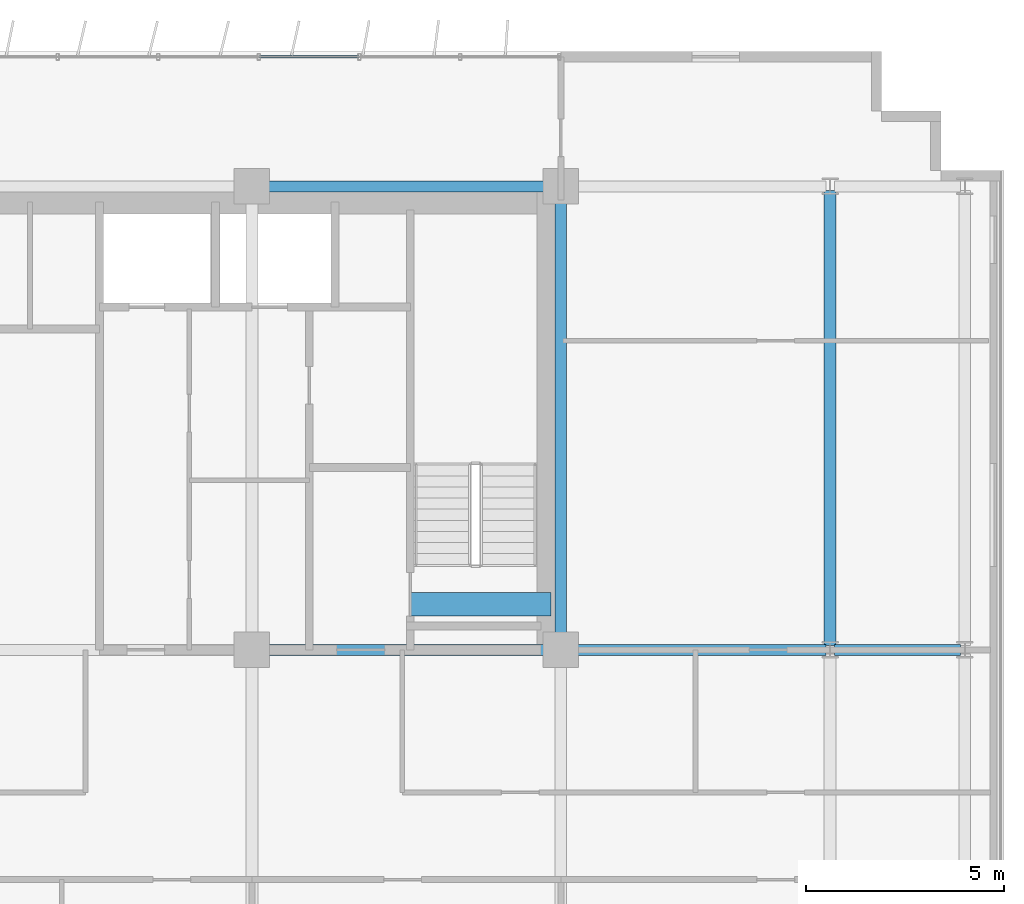
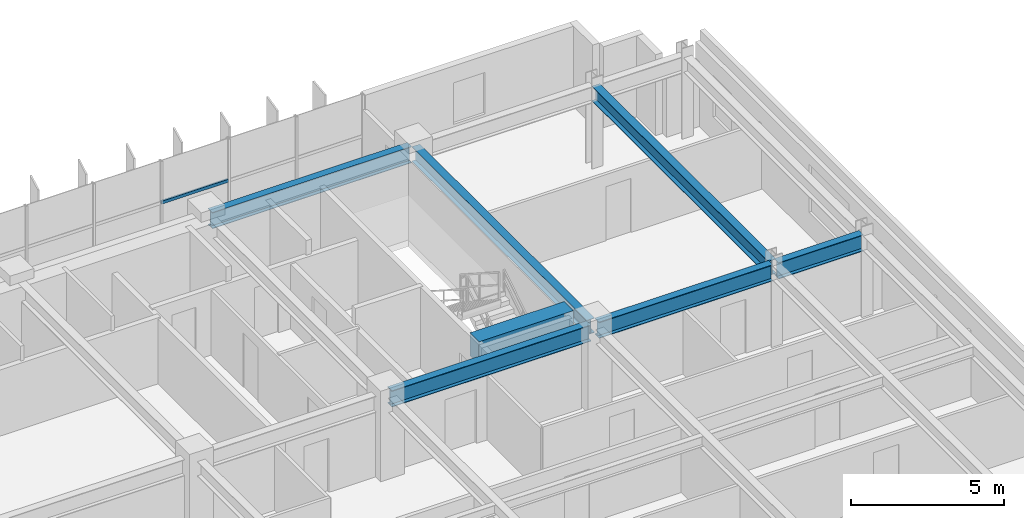
# One storey, part 14 of 25: 7 beams, 1 member, 1 element without a shape of its own.
"""IFC4 building model written with IfcOpenShell, lengths in metres."""

from ifc_helpers import new_model, si_unit, direction, frame, origin, origin_2d, place, context, subcontext, project, spatial, rectangle, hollow_rectangle, i_section, extrude, source, transform, mapped, material, material_profile, profile_set, type_object, element, aggregate, save


model = new_model("IFC4")

# Units and contexts
model_context = context("Model", 3, precision=1e-05, world=origin(), true_north=direction((0.0, 1.0)))
body_context = subcontext(model_context, "Body", "Model", "MODEL_VIEW")
ifc_project = project(units=[si_unit("LENGTHUNIT", "METRE"), si_unit("AREAUNIT", "SQUARE_METRE"), si_unit("VOLUMEUNIT", "CUBIC_METRE"), si_unit("PLANEANGLEUNIT", "RADIAN"), si_unit("MASSUNIT", "GRAM", prefix="KILO")], contexts=[model_context])

# Site, building, storey
site_placement = place(None, origin())
site = spatial("IfcSite", under=ifc_project, at=site_placement, CompositionType="ELEMENT")
building_placement = place(site_placement, origin())
building = spatial("IfcBuilding", under=site, at=building_placement, Name="Trelvane Seafront Commons", CompositionType="ELEMENT")
storey_placement = place(building_placement, frame((0.0, 0.0, 70.300048828125)))
storey = spatial("IfcBuildingStorey", under=building, at=storey_placement, Name="L18", CompositionType="ELEMENT", Elevation=70.300048828125)

# Beams
ifc_material_1 = material(Name="Concrete C60/75", Category="concrete")
ifc_material_profile_1 = material_profile(ifc_material_1, rectangle(XDim=0.60009765625, YDim=0.89990234375, at=origin_2d()), Name="RC-600x900")
ifc_profile_set_1 = profile_set([ifc_material_profile_1], Name="Concrete C60/75")
beam_type_1 = type_object("IfcBeamType", Name="STR-LNT-RC600x900", PredefinedType="LINTEL", material=ifc_profile_set_1)
shared_shape_1 = source(origin(), body_context, "Body", "SweptSolid", [
    extrude(rectangle(XDim=0.60009765625, YDim=0.89990234375, at=origin_2d()), origin(), (0.0, 0.0, 1.0), 3.550048828125),
])
beam_1_placement = place(storey_placement, frame((55.0, 34.550048828125, 2.77001953125), z_axis=(1.0, 0.0, 0.0), x_axis=(0.0, 1.0, 0.0)))
element("IfcBeam", 1, at=beam_1_placement, inside=storey, type_object=beam_type_1, Name="L18 Core Coupling Lintel Beam CB-84", PredefinedType="LINTEL", context=body_context, shape_type="MappedRepresentation", body=[
    mapped(shared_shape_1, transform((0.0, 0.0, 0.0), x_axis=(1.0, 0.0, 0.0), y_axis=(0.0, 1.0, 0.0), z_axis=(0.0, 0.0, 1.0), scale=1.0)),
])
ifc_material_2 = material(Name="Steel SM355 (S355)", Category="steel")
ifc_material_profile_2 = material_profile(ifc_material_2, i_section(OverallWidth=0.280029296875, OverallDepth=0.64990234375, WebThickness=0.012939453125, FlangeThickness=0.02197265625, at=origin_2d()), Name="H-650x280x13x22")
ifc_profile_set_2 = profile_set([ifc_material_profile_2], Name="Steel SM355 (S355)")
beam_type_2 = type_object("IfcBeamType", Name="STR-BM-H650", PredefinedType="BEAM", material=ifc_profile_set_2)
shared_shape_2 = source(origin(), body_context, "Body", "SweptSolid", [
    extrude(i_section(OverallWidth=0.280029296875, OverallDepth=0.64990234375, WebThickness=0.012939453125, FlangeThickness=0.02197265625, at=origin_2d()), origin(), (0.0, 0.0, 1.0), 3.18994140625),
])
beam_2_placement = place(storey_placement, frame((65.705078125, 33.39990234375, 2.89501953125), z_axis=(1.0, 0.0, 0.0), x_axis=(0.0, 1.0, 0.0)))
element("IfcBeam", 2, at=beam_2_placement, inside=storey, type_object=beam_type_2, Name="L18 Primary Girder G-27", PredefinedType="BEAM", context=body_context, shape_type="MappedRepresentation", body=[
    mapped(shared_shape_2, transform((0.0, 0.0, 0.0), x_axis=(1.0, 0.0, 0.0), y_axis=(0.0, 1.0, 0.0), z_axis=(0.0, 0.0, 1.0), scale=1.0)),
])
shared_shape_3 = source(origin(), body_context, "Body", "SweptSolid", [
    extrude(i_section(OverallWidth=0.280029296875, OverallDepth=0.64990234375, WebThickness=0.012939453125, FlangeThickness=0.02197265625, at=origin_2d()), origin(), (0.0, 0.0, 1.0), 6.545166015625),
])
beam_3_placement = place(storey_placement, frame((58.949951171875, 33.39990234375, 2.89501953125), z_axis=(1.0, 0.0, 0.0), x_axis=(0.0, 1.0, 0.0)))
element("IfcBeam", 3, at=beam_3_placement, inside=storey, type_object=beam_type_2, Name="L18 Primary Girder G-26", PredefinedType="BEAM", context=body_context, shape_type="MappedRepresentation", body=[
    mapped(shared_shape_3, transform((0.0, 0.0, 0.0), x_axis=(1.0, 0.0, 0.0), y_axis=(0.0, 1.0, 0.0), z_axis=(0.0, 0.0, 1.0), scale=1.0)),
])
shared_shape_4 = source(origin(), body_context, "Body", "SweptSolid", [
    extrude(i_section(OverallWidth=0.280029296875, OverallDepth=0.64990234375, WebThickness=0.012939453125, FlangeThickness=0.02197265625, at=origin_2d()), origin(), (0.0, 0.0, 1.0), 7.5),
])
for number, where, z_axis, x_axis, name in (
    (4, (51.14990234375, 33.39990234375, 2.89501953125), (1.0, 0.0, 0.0), (0.0, 1.0, 0.0), "L18 Primary Girder G-25"),
    (5, (51.14990234375, 45.10009765625, 2.89501953125), (1.0, 0.0, 0.0), (0.0, 1.0, 0.0), "L18 Primary Girder G-34"),
):
    element("IfcBeam", number, at=place(storey_placement, frame(where, z_axis=z_axis, x_axis=x_axis)), inside=storey, type_object=beam_type_2, Name=name, PredefinedType="BEAM", context=body_context, shape_type="MappedRepresentation", body=[
        mapped(shared_shape_4, transform((0.0, 0.0, 0.0), x_axis=(1.0, 0.0, 0.0), y_axis=(0.0, 1.0, 0.0), z_axis=(0.0, 0.0, 1.0), scale=1.0)),
    ])
ifc_material_profile_3 = material_profile(ifc_material_2, i_section(OverallWidth=0.300048828125, OverallDepth=0.587890625, WebThickness=0.011962890625, FlangeThickness=0.02001953125, at=origin_2d()), Name="H-588x300x12x20")
ifc_profile_set_3 = profile_set([ifc_material_profile_3], Name="Steel SM355 (S355)")
beam_type_3 = type_object("IfcBeamType", Name="STR-BM-H588", PredefinedType="BEAM", material=ifc_profile_set_3)
shared_shape_5 = source(origin(), body_context, "Body", "SweptSolid", [
    extrude(i_section(OverallWidth=0.300048828125, OverallDepth=0.587890625, WebThickness=0.011962890625, FlangeThickness=0.02001953125, at=origin_2d()), origin(), (0.0, 0.0, 1.0), 11.490234375),
])
beam_4_placement = place(storey_placement, frame((65.60009765625, 33.5048828125, 2.926025390625), z_axis=(0.0, 1.0, 0.0), x_axis=(-1.0, 0.0, 0.0)))
element("IfcBeam", 6, at=beam_4_placement, inside=storey, type_object=beam_type_3, Name="L18 Primary Girder G-63", PredefinedType="BEAM", context=body_context, shape_type="MappedRepresentation", body=[
    mapped(shared_shape_5, transform((0.0, 0.0, 0.0), x_axis=(1.0, 0.0, 0.0), y_axis=(0.0, 1.0, 0.0), z_axis=(0.0, 0.0, 1.0), scale=1.0)),
])
shared_shape_6 = source(origin(), body_context, "Body", "SweptSolid", [
    extrude(i_section(OverallWidth=0.300048828125, OverallDepth=0.587890625, WebThickness=0.011962890625, FlangeThickness=0.02001953125, at=origin_2d()), origin(), (0.0, 0.0, 1.0), 11.39990234375),
])
beam_5_placement = place(storey_placement, frame((58.800048828125, 33.550048828125, 2.926025390625), z_axis=(0.0, 1.0, 0.0), x_axis=(-1.0, 0.0, 0.0)))
element("IfcBeam", 7, at=beam_5_placement, inside=storey, type_object=beam_type_3, Name="L18 Primary Girder G-60", PredefinedType="BEAM", context=body_context, shape_type="MappedRepresentation", body=[
    mapped(shared_shape_6, transform((0.0, 0.0, 0.0), x_axis=(1.0, 0.0, 0.0), y_axis=(0.0, 1.0, 0.0), z_axis=(0.0, 0.0, 1.0), scale=1.0)),
])

# Curtain wall, member
ifc_material_3 = material(Name="Anodised pale-silver aluminium", Category="aluminium")
curtain_wall_type = type_object("IfcCurtainWallType", Name="ARCH-CW2-LOWTOWER", PredefinedType="NOTDEFINED", material=ifc_material_3)
curtain_wall_placement = place(storey_placement, origin())
curtain_wall = element("IfcCurtainWall", 8, at=curtain_wall_placement, inside=storey, type_object=curtain_wall_type, Name="CW-L18-0043", PredefinedType="NOTDEFINED")
ifc_material_profile_4 = material_profile(ifc_material_3, hollow_rectangle(XDim=0.070068359375, YDim=0.1201171875, WallThickness=0.00390625, at=origin_2d()), Name="TRAN-70x120x4")
ifc_profile_set_4 = profile_set([ifc_material_profile_4], Name="Anodised pale-silver aluminium")
member_type = type_object("IfcMemberType", Name="ARCH-CW-TRAN-120", PredefinedType="USERDEFINED", material=ifc_profile_set_4)
shared_shape_7 = source(origin(), body_context, "Body", "SweptSolid", [
    extrude(hollow_rectangle(XDim=0.070068359375, YDim=0.1201171875, WallThickness=0.00390625, at=origin_2d()), origin(), (0.0, 0.0, 1.0), 2.51708984375),
])
member_placement = place(storey_placement, frame((51.1884765625, 48.3701171875, 1.5458984375), z_axis=(1.0, 0.0, 0.0), x_axis=(0.0, 1.0, 0.0)))
member = element("IfcMember", 9, at=member_placement, type_object=member_type, Name="CW-L18-0043-T14", ObjectType="TRANSOM", PredefinedType="USERDEFINED", context=body_context, shape_type="MappedRepresentation", body=[
    mapped(shared_shape_7, transform((0.0, 0.0, 0.0), x_axis=(1.0, 0.0, 0.0), y_axis=(0.0, 1.0, 0.0), z_axis=(0.0, 0.0, 1.0), scale=1.0)),
])
aggregate(curtain_wall, [member])

save(model, "model.ifc")
